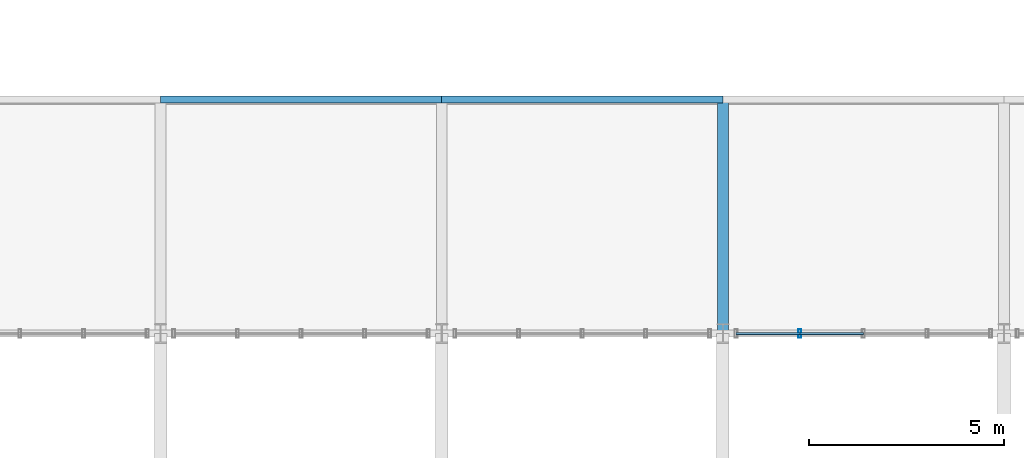
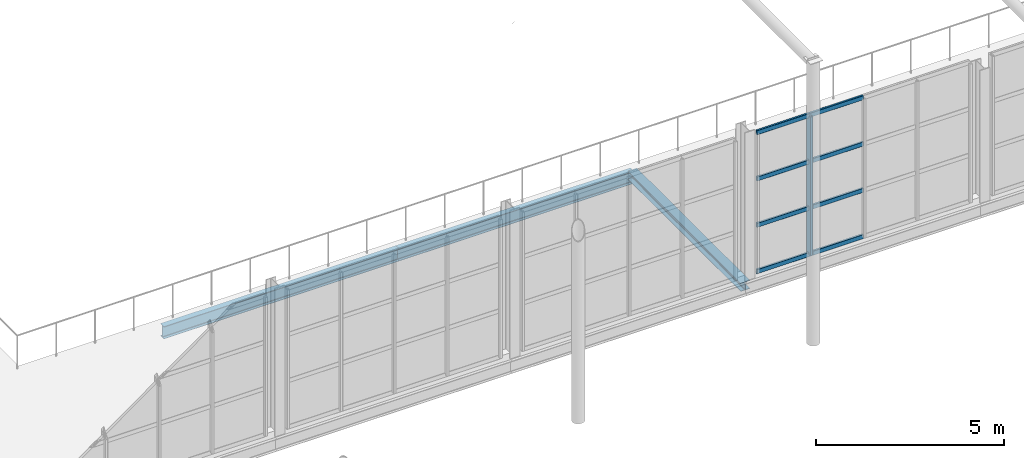
# One storey, part 21 of 143: 9 members, 3 beams, 1 element without a shape of its own.
"""IFC4 building model written with IfcOpenShell, lengths in metres."""

import ifcopenshell
import ifcopenshell.guid

model = None  # the IFC model being written
_history = None  # IfcOwnerHistory: only IFC2X3 demands one
_inside = {}  # id of a spatial element -> (the spatial element, [elements in it])
_under = {}  # id of a project, library or spatial element -> (it, [spatial elements below it])
_declared = {}  # id of a project -> (the project, [libraries it declares])
_typed = {}  # id of a type object -> (the type object, [elements of that type])
_made_of = {}  # id of a material, layer set ... -> (it, [elements and type objects made of it])


def new_model(schema):
    """Start an empty IFC model of exactly this schema.

    Asked for "IFC4X3", IfcOpenShell would pick the latest addendum, in which some entities
    have other attributes; the version numbers below select the first issue.
    IFC2X3 requires an IfcOwnerHistory on every rooted entity: one is made here for all.
    """
    global model, _history
    if schema == "IFC4X3":
        model = ifcopenshell.file(schema_version=(4, 3, 0, 0))
    else:
        model = ifcopenshell.file(schema=schema)
    _inside.clear()
    _under.clear()
    _declared.clear()
    _typed.clear()
    _made_of.clear()
    _history = None
    if model.schema == "IFC2X3":
        org = make("IfcOrganization", Name="unknown")
        user = make(
            "IfcPersonAndOrganization",
            ThePerson=make("IfcPerson", FamilyName="unknown"),
            TheOrganization=org,
        )
        app = make(
            "IfcApplication",
            ApplicationDeveloper=org,
            Version="unknown",
            ApplicationFullName="unknown",
            ApplicationIdentifier="unknown",
        )
        _history = make(
            "IfcOwnerHistory",
            OwningUser=user,
            OwningApplication=app,
            ChangeAction="ADDED",
            CreationDate=0,
        )
    return model


def make(cls, **values):
    """One entity of the class cls with the attributes given. An attribute that is None is left unset."""
    return model.create_entity(
        cls, **{name: value for name, value in values.items() if value is not None}
    )


def rooted(cls, **values):
    """An entity with a GlobalId (a new one), such as an element, a storey or a relation."""
    return make(cls, GlobalId=ifcopenshell.guid.new(), OwnerHistory=_history, **values)


def si_unit(unit_type, name, prefix=None):
    """IfcSIUnit, for example si_unit("LENGTHUNIT", "METRE", prefix="MILLI")."""
    return make("IfcSIUnit", UnitType=unit_type, Prefix=prefix, Name=name)


def derived_unit(unit_type, elements):
    """IfcDerivedUnit: a product of units, each with its exponent."""
    return make(
        "IfcDerivedUnit",
        Elements=[
            make("IfcDerivedUnitElement", Unit=unit, Exponent=power)
            for unit, power in elements
        ],
        UnitType=unit_type,
    )


def assignment(units):
    """IfcUnitAssignment: the units of a project."""
    return None if units is None else make("IfcUnitAssignment", Units=units)


def point(xyz):
    """IfcCartesianPoint."""
    return None if xyz is None else make("IfcCartesianPoint", Coordinates=xyz)


def direction(xyz):
    """IfcDirection."""
    return None if xyz is None else make("IfcDirection", DirectionRatios=xyz)


def frame(location, z_axis=None, x_axis=None):
    """IfcAxis2Placement3D, a coordinate frame: its origin and axes. An axis left out is left unset."""
    return make(
        "IfcAxis2Placement3D",
        Location=point(location),
        Axis=direction(z_axis),
        RefDirection=direction(x_axis),
    )


def frame_2d(location, x_axis=None):
    """IfcAxis2Placement2D, a coordinate frame in the plane: its origin and x axis."""
    return make(
        "IfcAxis2Placement2D", Location=point(location), RefDirection=direction(x_axis)
    )


def origin():
    """The frame at (0, 0, 0) with its axes left unset."""
    return frame((0.0, 0.0, 0.0))


def origin_2d():
    """The frame at (0, 0) in the plane with its x axis left unset."""
    return frame_2d((0.0, 0.0))


def place(relative_to, where):
    """IfcLocalPlacement: puts the frame where relative to a parent placement (None: the world)."""
    return make(
        "IfcLocalPlacement", PlacementRelTo=relative_to, RelativePlacement=where
    )


def context(
    kind, dimensions, precision=None, world=None, true_north=None, identifier=None
):
    """IfcGeometricRepresentationContext, for example the 3D "Model" context."""
    return make(
        "IfcGeometricRepresentationContext",
        ContextIdentifier=identifier,
        ContextType=kind,
        CoordinateSpaceDimension=dimensions,
        Precision=precision,
        WorldCoordinateSystem=world,
        TrueNorth=true_north,
    )


def subcontext(parent, identifier, kind, view, scale=None):
    """IfcGeometricRepresentationSubContext, for example "Body" below "Model"."""
    return make(
        "IfcGeometricRepresentationSubContext",
        ContextIdentifier=identifier,
        ContextType=kind,
        ParentContext=parent,
        TargetScale=scale,
        TargetView=view,
    )


def project(units=None, contexts=None):
    """IfcProject with its units and contexts."""
    return rooted(
        "IfcProject",
        Name="project",
        RepresentationContexts=contexts,
        UnitsInContext=assignment(units),
    )


def spatial(cls, under=None, at=None, **own):
    """A site, building, storey or space (cls), placed at a placement, below another one or the project."""
    s = rooted(cls, ObjectPlacement=at, **own)
    if under is not None:
        _under.setdefault(under.id(), (under, []))[1].append(s)
    return s


def profile(cls, at=None, kind="AREA", **sizes):
    """A parametric profile (cls). Its sizes go by their IFC names, for example OverallWidth=200.0."""
    return make(cls, ProfileType=kind, Position=at, **sizes)


def hollow_rectangle(**sizes):
    """IfcRectangleHollowProfileDef."""
    return profile("IfcRectangleHollowProfileDef", **sizes)


def i_section(**sizes):
    """IfcIShapeProfileDef."""
    return profile("IfcIShapeProfileDef", **sizes)


def extrude(swept, where, along, depth):
    """IfcExtrudedAreaSolid: the profile swept, set in the frame where, extruded along a direction by depth."""
    return make(
        "IfcExtrudedAreaSolid",
        SweptArea=swept,
        Position=where,
        ExtrudedDirection=direction(along),
        Depth=depth,
    )


def shape(context_of_items, identifier, shape_type, items):
    """IfcShapeRepresentation: the items that make up one representation, for example the "Body"."""
    return make(
        "IfcShapeRepresentation",
        ContextOfItems=context_of_items,
        RepresentationIdentifier=identifier,
        RepresentationType=shape_type,
        Items=items,
    )


def material(Name=None, Category=None):
    """IfcMaterial."""
    return make("IfcMaterial", Name=Name, Category=Category)


def material_profile(
    of_material, cross_section, Name=None, Category=None, Priority=None
):
    """IfcMaterialProfile: a cross section and its material."""
    return make(
        "IfcMaterialProfile",
        Name=Name,
        Material=of_material,
        Profile=cross_section,
        Priority=Priority,
        Category=Category,
    )


def profile_set(profiles, Name=None, composite=None):
    """IfcMaterialProfileSet."""
    return make(
        "IfcMaterialProfileSet",
        Name=Name,
        MaterialProfiles=profiles,
        CompositeProfile=composite,
    )


def made_of(thing, what):
    """Note that an element or type object is made of a material, layer set ...; save() writes the relation."""
    if what is not None:
        _made_of.setdefault(what.id(), (what, []))[1].append(thing)
    return thing


def type_object(cls, material=None, **own):
    """A type object (cls), such as IfcWallType, which elements share."""
    return made_of(rooted(cls, **own), material)


def element(
    cls,
    number,
    at=None,
    inside=None,
    cuts=None,
    type_object=None,
    material=None,
    context=None,
    identifier="Body",
    shape_type=None,
    held_by="IfcProductDefinitionShape",
    body=None,
    shapes=None,
    **own,
):
    """One element of the class cls, such as IfcWall. Its Tag is "e" and its number.

    at: its placement. inside: the storey or other place that contains it. cuts: it is an
    opening in that element (IfcRelVoidsElement). A single representation is given by context,
    identifier, shape_type and body (its items); several are given by shapes. held_by: the class
    of the entity that holds the representations. save() writes the other relations.
    """
    e = rooted(cls, Tag="e%d" % number, ObjectPlacement=at, **own)
    if body is not None:
        shapes = [shape(context, identifier, shape_type, body)]
    if shapes is not None:
        e.Representation = make(held_by, Representations=shapes)
    if inside is not None:
        _inside.setdefault(inside.id(), (inside, []))[1].append(e)
    if cuts is not None:
        rooted(
            "IfcRelVoidsElement", RelatingBuildingElement=cuts, RelatedOpeningElement=e
        )
    if type_object is not None:
        _typed.setdefault(type_object.id(), (type_object, []))[1].append(e)
    return made_of(e, material)


def aggregate(whole, parts):
    """IfcRelAggregates: a whole, such as a stair, and the parts it consists of."""
    return rooted("IfcRelAggregates", RelatingObject=whole, RelatedObjects=parts)


def save(model, path):
    """Write the relations noted so far, then the file.

    IfcRelAggregates (storeys below a building ...), IfcRelContainedInSpatialStructure (elements
    in a storey), IfcRelDefinesByType, IfcRelAssociatesMaterial and IfcRelDeclares: one each for
    every whole, place, type object, material and project.
    """
    for whole, parts in _under.values():
        aggregate(whole, parts)
    for where, things in _inside.values():
        rooted(
            "IfcRelContainedInSpatialStructure",
            RelatedElements=things,
            RelatingStructure=where,
        )
    for kind, things in _typed.values():
        rooted("IfcRelDefinesByType", RelatedObjects=things, RelatingType=kind)
    for what, things in _made_of.values():
        rooted("IfcRelAssociatesMaterial", RelatedObjects=things, RelatingMaterial=what)
    for by, libraries in _declared.values():
        rooted("IfcRelDeclares", RelatingContext=by, RelatedDefinitions=libraries)
    model.write(path)


model = new_model("IFC4")

# Units and contexts
model_context = context("Model", 3, precision=1e-05, world=origin(), true_north=direction((0.0, 1.0)))
body_context = subcontext(model_context, "Body", "Model", "MODEL_VIEW")
ifc_project = project(units=[si_unit("LENGTHUNIT", "METRE"), si_unit("AREAUNIT", "SQUARE_METRE"), si_unit("VOLUMEUNIT", "CUBIC_METRE"), si_unit("PLANEANGLEUNIT", "RADIAN"), si_unit("MASSUNIT", "GRAM", prefix="KILO"), derived_unit("THERMALTRANSMITTANCEUNIT", [(si_unit("POWERUNIT", "WATT"), 1), (si_unit("LENGTHUNIT", "METRE"), -2), (si_unit("THERMODYNAMICTEMPERATUREUNIT", "KELVIN"), -1)])], contexts=[model_context])

# Site, building, storey
site_placement = place(None, origin())
site = spatial("IfcSite", under=ifc_project, at=site_placement, CompositionType="ELEMENT")
building_placement = place(site_placement, origin())
building = spatial("IfcBuilding", under=site, at=building_placement, Name="Keldorne Ridge Multi-Sports Centre", CompositionType="ELEMENT")
storey_placement = place(building_placement, frame((0.0, 0.0, 4.800048828125)))
storey = spatial("IfcBuildingStorey", under=building, at=storey_placement, Name="L01", CompositionType="ELEMENT", Elevation=4.800048828125)

# Beams
ifc_material_1 = material(Name="Steel S355", Category="steel")
ifc_material_profile_1 = material_profile(ifc_material_1, i_section(OverallWidth=0.179931640625, OverallDepth=0.39990234375, WebThickness=0.008544921875, FlangeThickness=0.013427734375, FilletRadius=0.02099609375, at=origin_2d()), Name="IPE 400")
ifc_profile_set_1 = profile_set([ifc_material_profile_1], Name="Steel S355")
beam_type_1 = type_object("IfcBeamType", Name="BM-B-04", PredefinedType="BEAM", material=ifc_profile_set_1)
beam_1_placement = place(storey_placement, frame((20.39990234375, 15.60009765625, -0.420166015625), z_axis=(1.0, 0.0, 0.0), x_axis=(0.0, 1.0, 0.0)))
element("IfcBeam", 1, at=beam_1_placement, inside=storey, type_object=beam_type_1, Name="L01 mezzanine north beam 3", PredefinedType="BEAM", context=body_context, shape_type="SweptSolid", body=[
    extrude(i_section(OverallWidth=0.179931640625, OverallDepth=0.39990234375, WebThickness=0.008544921875, FlangeThickness=0.013427734375, FilletRadius=0.02099609375, at=origin_2d()), origin(), (0.0, 0.0, 1.0), 7.2001953125),
])
beam_2_placement = place(storey_placement, frame((27.60009765625, 15.60009765625, -0.420166015625), z_axis=(1.0, 0.0, 0.0), x_axis=(0.0, 1.0, 0.0)))
element("IfcBeam", 2, at=beam_2_placement, inside=storey, type_object=beam_type_1, Name="L01 mezzanine north beam 4", PredefinedType="BEAM", context=body_context, shape_type="SweptSolid", body=[
    extrude(i_section(OverallWidth=0.179931640625, OverallDepth=0.39990234375, WebThickness=0.008544921875, FlangeThickness=0.013427734375, FilletRadius=0.02099609375, at=origin_2d()), origin(), (0.0, 0.0, 1.0), 7.199951171875),
])
ifc_material_profile_2 = material_profile(ifc_material_1, i_section(OverallWidth=0.280029296875, OverallDepth=0.27001953125, WebThickness=0.008056640625, FlangeThickness=0.012939453125, FilletRadius=0.02392578125, at=origin_2d()), Name="HEA 280")
ifc_profile_set_2 = profile_set([ifc_material_profile_2], Name="Steel S355")
beam_type_2 = type_object("IfcBeamType", Name="BM-J-05", PredefinedType="JOIST", material=ifc_profile_set_2)
beam_3_placement = place(storey_placement, frame((34.800048828125, 9.60009765625, -0.35498046875), z_axis=(0.0, 1.0, 0.0), x_axis=(-1.0, 0.0, 0.0)))
element("IfcBeam", 3, at=beam_3_placement, inside=storey, type_object=beam_type_2, Name="L01 mezzanine cross beam 5", PredefinedType="JOIST", context=body_context, shape_type="SweptSolid", body=[
    extrude(i_section(OverallWidth=0.280029296875, OverallDepth=0.27001953125, WebThickness=0.008056640625, FlangeThickness=0.012939453125, FilletRadius=0.02392578125, at=origin_2d()), origin(), (0.0, 0.0, 1.0), 6.0),
])

# Curtain wall, members
ifc_material_2 = material(Name="Anodized aluminium", Category="aluminium")
curtain_wall_type = type_object("IfcCurtainWallType", Name="CW-CW-05", PredefinedType="NOTDEFINED", material=ifc_material_2)
curtain_wall_placement = place(storey_placement, origin())
curtain_wall = element("IfcCurtainWall", 4, at=curtain_wall_placement, inside=storey, type_object=curtain_wall_type, Name="Main Hall south mezzanine curtain wall 013", PredefinedType="NOTDEFINED")
ifc_material_profile_3 = material_profile(ifc_material_2, hollow_rectangle(XDim=0.074951171875, YDim=0.219970703125, WallThickness=0.0048828125, InnerFilletRadius=0.0048828125, OuterFilletRadius=0.010009765625, at=origin_2d()), Name="ALU MULLION 220x75x5")
ifc_profile_set_3 = profile_set([ifc_material_profile_3], Name="Anodized aluminium")
member_type_1 = type_object("IfcMemberType", Name="MEM-ML-02", PredefinedType="MULLION", material=ifc_profile_set_3)
member_1_placement = place(storey_placement, frame((36.77001953125, 9.60009765625, 0.0), z_axis=(0.0, 0.0, 1.0), x_axis=(1.0, 0.0, 0.0)))
member_1 = element("IfcMember", 5, at=member_1_placement, type_object=member_type_1, Name="CW-013 vertical mullion 2", PredefinedType="MULLION", context=body_context, shape_type="SweptSolid", body=[
    extrude(hollow_rectangle(XDim=0.074951171875, YDim=0.219970703125, WallThickness=0.0048828125, InnerFilletRadius=0.0048828125, OuterFilletRadius=0.010009765625, at=origin_2d()), origin(), (0.0, 0.0, 1.0), 4.5),
])
ifc_material_profile_4 = material_profile(ifc_material_2, hollow_rectangle(XDim=0.06494140625, YDim=0.139892578125, WallThickness=0.00439453125, InnerFilletRadius=0.00439453125, OuterFilletRadius=0.009033203125, at=origin_2d()), Name="ALU TRANSOM 140x65x4.5")
ifc_profile_set_4 = profile_set([ifc_material_profile_4], Name="Anodized aluminium")
member_type_2 = type_object("IfcMemberType", Name="MEM-TR-01", PredefinedType="USERDEFINED", material=ifc_profile_set_4)
member_2_placement = place(storey_placement, frame((35.139892578125, 9.60009765625, 0.0), z_axis=(1.0, 0.0, 0.0), x_axis=(0.0, 1.0, 0.0)))
member_2 = element("IfcMember", 6, at=member_2_placement, type_object=member_type_2, Name="CW-013 transom 1.1", ObjectType="TRANSOM", PredefinedType="USERDEFINED", context=body_context, shape_type="SweptSolid", body=[
    extrude(hollow_rectangle(XDim=0.06494140625, YDim=0.139892578125, WallThickness=0.00439453125, InnerFilletRadius=0.00439453125, OuterFilletRadius=0.009033203125, at=origin_2d()), origin(), (0.0, 0.0, 1.0), 1.630126953125),
])
member_3_placement = place(storey_placement, frame((35.139892578125, 9.60009765625, 1.5), z_axis=(1.0, 0.0, 0.0), x_axis=(0.0, 1.0, 0.0)))
member_3 = element("IfcMember", 7, at=member_3_placement, type_object=member_type_2, Name="CW-013 transom 1.2", ObjectType="TRANSOM", PredefinedType="USERDEFINED", context=body_context, shape_type="SweptSolid", body=[
    extrude(hollow_rectangle(XDim=0.06494140625, YDim=0.139892578125, WallThickness=0.00439453125, InnerFilletRadius=0.00439453125, OuterFilletRadius=0.009033203125, at=origin_2d()), origin(), (0.0, 0.0, 1.0), 1.630126953125),
])
member_4_placement = place(storey_placement, frame((35.139892578125, 9.60009765625, 3.0), z_axis=(1.0, 0.0, 0.0), x_axis=(0.0, 1.0, 0.0)))
member_4 = element("IfcMember", 8, at=member_4_placement, type_object=member_type_2, Name="CW-013 transom 1.3", ObjectType="TRANSOM", PredefinedType="USERDEFINED", context=body_context, shape_type="SweptSolid", body=[
    extrude(hollow_rectangle(XDim=0.06494140625, YDim=0.139892578125, WallThickness=0.00439453125, InnerFilletRadius=0.00439453125, OuterFilletRadius=0.009033203125, at=origin_2d()), origin(), (0.0, 0.0, 1.0), 1.630126953125),
])
member_5_placement = place(storey_placement, frame((35.139892578125, 9.60009765625, 4.5), z_axis=(1.0, 0.0, 0.0), x_axis=(0.0, 1.0, 0.0)))
member_5 = element("IfcMember", 9, at=member_5_placement, type_object=member_type_2, Name="CW-013 transom 1.4", ObjectType="TRANSOM", PredefinedType="USERDEFINED", context=body_context, shape_type="SweptSolid", body=[
    extrude(hollow_rectangle(XDim=0.06494140625, YDim=0.139892578125, WallThickness=0.00439453125, InnerFilletRadius=0.00439453125, OuterFilletRadius=0.009033203125, at=origin_2d()), origin(), (0.0, 0.0, 1.0), 1.630126953125),
])
member_6_placement = place(storey_placement, frame((36.77001953125, 9.60009765625, 0.0), z_axis=(1.0, 0.0, 0.0), x_axis=(0.0, 1.0, 0.0)))
member_6 = element("IfcMember", 10, at=member_6_placement, type_object=member_type_2, Name="CW-013 transom 2.1", ObjectType="TRANSOM", PredefinedType="USERDEFINED", context=body_context, shape_type="SweptSolid", body=[
    extrude(hollow_rectangle(XDim=0.06494140625, YDim=0.139892578125, WallThickness=0.00439453125, InnerFilletRadius=0.00439453125, OuterFilletRadius=0.009033203125, at=origin_2d()), origin(), (0.0, 0.0, 1.0), 1.6298828125),
])
member_7_placement = place(storey_placement, frame((36.77001953125, 9.60009765625, 1.5), z_axis=(1.0, 0.0, 0.0), x_axis=(0.0, 1.0, 0.0)))
member_7 = element("IfcMember", 11, at=member_7_placement, type_object=member_type_2, Name="CW-013 transom 2.2", ObjectType="TRANSOM", PredefinedType="USERDEFINED", context=body_context, shape_type="SweptSolid", body=[
    extrude(hollow_rectangle(XDim=0.06494140625, YDim=0.139892578125, WallThickness=0.00439453125, InnerFilletRadius=0.00439453125, OuterFilletRadius=0.009033203125, at=origin_2d()), origin(), (0.0, 0.0, 1.0), 1.6298828125),
])
member_8_placement = place(storey_placement, frame((36.77001953125, 9.60009765625, 3.0), z_axis=(1.0, 0.0, 0.0), x_axis=(0.0, 1.0, 0.0)))
member_8 = element("IfcMember", 12, at=member_8_placement, type_object=member_type_2, Name="CW-013 transom 2.3", ObjectType="TRANSOM", PredefinedType="USERDEFINED", context=body_context, shape_type="SweptSolid", body=[
    extrude(hollow_rectangle(XDim=0.06494140625, YDim=0.139892578125, WallThickness=0.00439453125, InnerFilletRadius=0.00439453125, OuterFilletRadius=0.009033203125, at=origin_2d()), origin(), (0.0, 0.0, 1.0), 1.6298828125),
])
member_9_placement = place(storey_placement, frame((36.77001953125, 9.60009765625, 4.5), z_axis=(1.0, 0.0, 0.0), x_axis=(0.0, 1.0, 0.0)))
member_9 = element("IfcMember", 13, at=member_9_placement, type_object=member_type_2, Name="CW-013 transom 2.4", ObjectType="TRANSOM", PredefinedType="USERDEFINED", context=body_context, shape_type="SweptSolid", body=[
    extrude(hollow_rectangle(XDim=0.06494140625, YDim=0.139892578125, WallThickness=0.00439453125, InnerFilletRadius=0.00439453125, OuterFilletRadius=0.009033203125, at=origin_2d()), origin(), (0.0, 0.0, 1.0), 1.6298828125),
])
aggregate(curtain_wall, [member_1, member_2, member_3, member_4, member_5, member_6, member_7, member_8, member_9])

save(model, "model.ifc")
